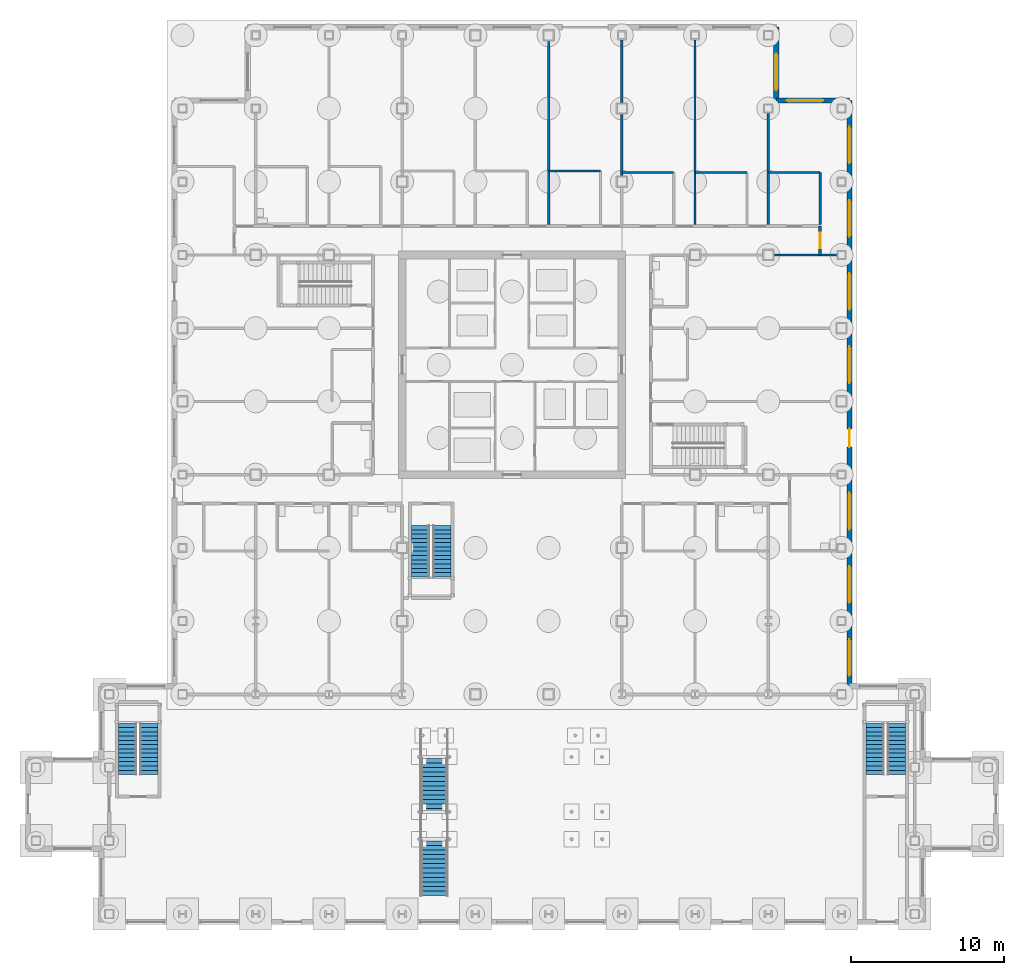
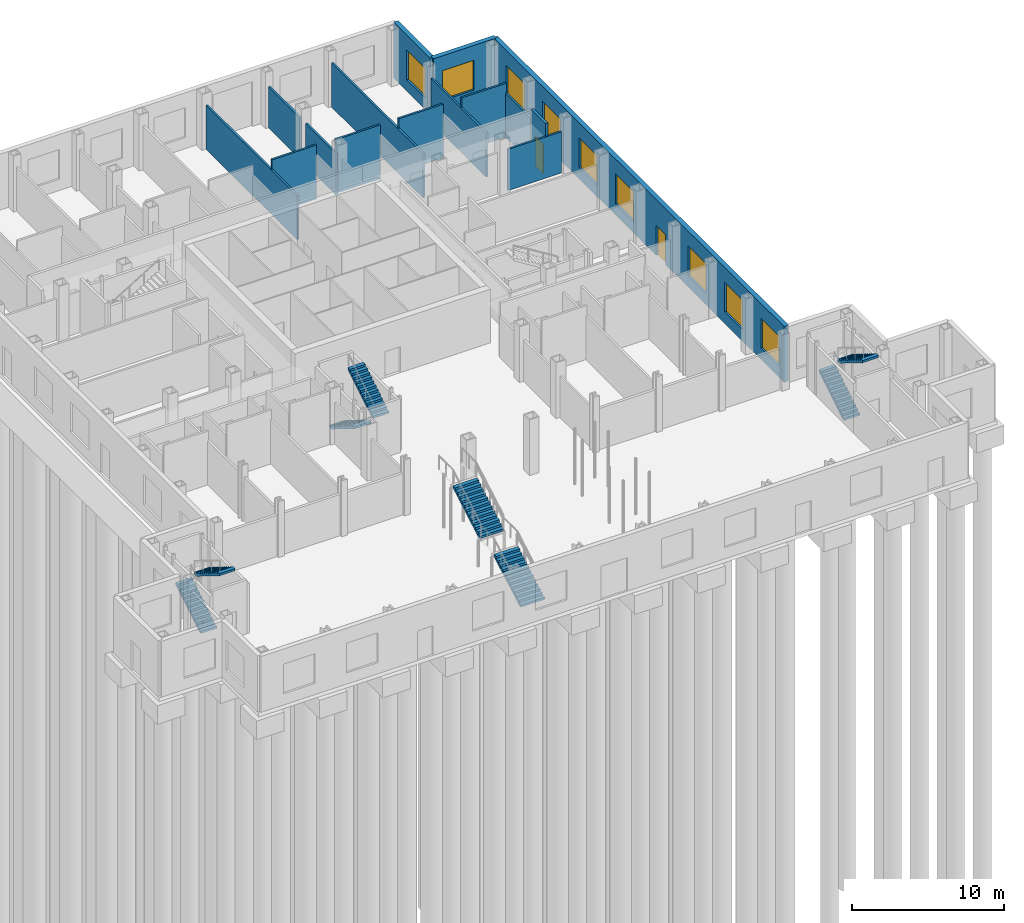
# One storey, part 18 of 22: 15 walls, 9 windows, 8 stair flights, 2 doors, 11 openings, 4 elements without a shape of their own.
"""IFC4 building model written with IfcOpenShell, lengths in metres."""

from ifc_helpers import new_model, si_unit, direction, frame, frame_2d, origin, place, context, subcontext, project, spatial, polyline, rectangle, outline, extrude, material, layer, layer_set, type_object, element, fill, aggregate, save


model = new_model("IFC4")

# Units and contexts
model_context = context("Model", 3, precision=1e-05, world=origin(), true_north=direction((0.0, 1.0)))
body_context = subcontext(model_context, "Body", "Model", "MODEL_VIEW")
ifc_project = project(units=[si_unit("LENGTHUNIT", "METRE"), si_unit("AREAUNIT", "SQUARE_METRE"), si_unit("VOLUMEUNIT", "CUBIC_METRE"), si_unit("PLANEANGLEUNIT", "RADIAN"), si_unit("MASSUNIT", "GRAM", prefix="KILO")], contexts=[model_context])

# Site, building, storey
site_placement = place(None, origin())
site = spatial("IfcSite", under=ifc_project, at=site_placement, CompositionType="ELEMENT")
building_placement = place(site_placement, origin())
building = spatial("IfcBuilding", under=site, at=building_placement, Name="Kvirike Care Tower", CompositionType="ELEMENT")
storey_placement = place(building_placement, origin())
storey = spatial("IfcBuildingStorey", under=building, at=storey_placement, Name="L00", CompositionType="ELEMENT", Elevation=0.0)

# Walls
ifc_material_1 = material(Name="Plasterboard partition", Category="gypsum")
ifc_layer_1 = layer(ifc_material_1, 0.14990234375)
ifc_layer_set_1 = layer_set([ifc_layer_1], Name="CLINIC PARTITION 150")
wall_type_1 = type_object("IfcWallType", Name="CLINIC PARTITION 150", PredefinedType="PARTITIONING", material=ifc_layer_set_1)
wall_1_placement = place(storey_placement, frame((27.39990234375, 48.699951171875, 0.0), z_axis=(0.0, 0.0, 1.0), x_axis=(-1.0, 0.0, 0.0)))
element("IfcWall", 1, at=wall_1_placement, inside=storey, type_object=wall_type_1, Name="Clinic Partition 150 L00", PredefinedType="PARTITIONING", context=body_context, shape_type="SweptSolid", body=[
    extrude(rectangle(XDim=3.39990234375, YDim=0.14990234375, at=frame_2d((1.699951171875, 0.0))), origin(), (0.0, 0.0, 1.0), 4.330078125),
])
wall_2_placement = place(storey_placement, frame((24.0, 57.205078125, 0.0), z_axis=(0.0, 0.0, 1.0), x_axis=(0.0, -1.0, 0.0)))
element("IfcWall", 2, at=wall_2_placement, inside=storey, type_object=wall_type_1, Name="Clinic Partition 150 L00", PredefinedType="PARTITIONING", context=body_context, shape_type="SweptSolid", body=[
    extrude(rectangle(XDim=12.005126953125, YDim=0.14990234375, at=frame_2d((6.00244140625, 0.0))), origin(), (0.0, 0.0, 1.0), 3.550048828125),
])
wall_3_placement = place(storey_placement, frame((41.800048828125, 48.60009765625, 0.0), z_axis=(0.0, 0.0, 1.0), x_axis=(0.0, -1.0, 0.0)))
element("IfcWall", 3, at=wall_3_placement, inside=storey, type_object=wall_type_1, Name="Clinic Partition 150 L00", PredefinedType="PARTITIONING", context=body_context, shape_type="SweptSolid", body=[
    extrude(rectangle(XDim=3.400146484375, YDim=0.14990234375, at=frame_2d((1.7001953125, 0.0))), origin(), (0.0, 0.0, 1.0), 3.550048828125),
])
wall_4_placement = place(storey_placement, frame((41.800048828125, 48.60009765625, 0.0), z_axis=(0.0, 0.0, 1.0), x_axis=(-1.0, 0.0, 0.0)))
element("IfcWall", 4, at=wall_4_placement, inside=storey, type_object=wall_type_1, Name="Clinic Partition 150 L00", PredefinedType="PARTITIONING", context=body_context, shape_type="SweptSolid", body=[
    extrude(rectangle(XDim=3.400146484375, YDim=0.14990234375, at=frame_2d((1.7001953125, 0.0))), origin(), (0.0, 0.0, 1.0), 4.330078125),
])
for number, where, z_axis, x_axis, name in (
    (5, (37.0, 48.60009765625, 0.0), (0.0, 0.0, 1.0), (-1.0, 0.0, 0.0), "Clinic Partition 150 L00"),
    (6, (32.199951171875, 48.60009765625, 0.0), (0.0, 0.0, 1.0), (-1.0, 0.0, 0.0), "Clinic Partition 150 L00"),
):
    element("IfcWall", number, at=place(storey_placement, frame(where, z_axis=z_axis, x_axis=x_axis)), inside=storey, type_object=wall_type_1, Name=name, PredefinedType="PARTITIONING", context=body_context, shape_type="SweptSolid", body=[
        extrude(rectangle(XDim=3.39990234375, YDim=0.14990234375, at=frame_2d((1.699951171875, 0.0))), origin(), (0.0, 0.0, 1.0), 4.330078125),
    ])
wall_5_placement = place(storey_placement, frame((38.39990234375, 52.47998046875, 0.0), z_axis=(0.0, 0.0, 1.0), x_axis=(0.0, -1.0, 0.0)))
element("IfcWall", 7, at=wall_5_placement, inside=storey, type_object=wall_type_1, Name="Clinic Partition 150 L00", PredefinedType="PARTITIONING", context=body_context, shape_type="SweptSolid", body=[
    extrude(rectangle(XDim=7.280029296875, YDim=0.14990234375, at=frame_2d((3.64013671875, 0.0))), origin(), (0.0, 0.0, 1.0), 3.550048828125),
])
wall_6_placement = place(storey_placement, frame((33.60009765625, 57.280029296875, 0.0), z_axis=(0.0, 0.0, 1.0), x_axis=(0.0, -1.0, 0.0)))
element("IfcWall", 8, at=wall_6_placement, inside=storey, type_object=wall_type_1, Name="Clinic Partition 150 L00", PredefinedType="PARTITIONING", context=body_context, shape_type="SweptSolid", body=[
    extrude(rectangle(XDim=12.080078125, YDim=0.14990234375, at=frame_2d((6.0400390625, 0.0))), origin(), (0.0, 0.0, 1.0), 3.550048828125),
])
wall_7_placement = place(storey_placement, frame((28.800048828125, 48.39501953125, 0.0), z_axis=(0.0, 0.0, 1.0), x_axis=(0.0, 1.0, 0.0)))
element("IfcWall", 9, at=wall_7_placement, inside=storey, type_object=wall_type_1, Name="Clinic Partition 150 L00", PredefinedType="PARTITIONING", context=body_context, shape_type="SweptSolid", body=[
    extrude(rectangle(XDim=4.010009765625, YDim=0.14990234375, at=frame_2d((2.0048828125, 0.0))), origin(), (0.0, 0.0, 1.0), 3.320068359375),
])
for number, where, z_axis, x_axis, name in (
    (10, (28.800048828125, 53.195068359375, 0.0), (0.0, 0.0, 1.0), (0.0, 1.0, 0.0), "Clinic Partition 150 L00"),
    (11, (42.8798828125, 43.199951171875, 0.0), (0.0, 0.0, 1.0), (-1.0, 0.0, 0.0), "Clinic Partition 150 L00"),
):
    element("IfcWall", number, at=place(storey_placement, frame(where, z_axis=z_axis, x_axis=x_axis)), inside=storey, type_object=wall_type_1, Name=name, PredefinedType="PARTITIONING", context=body_context, shape_type="SweptSolid", body=[
        extrude(rectangle(XDim=4.0849609375, YDim=0.14990234375, at=frame_2d((2.04248046875, 0.0))), origin(), (0.0, 0.0, 1.0), 3.320068359375),
    ])

# Wall, opening, door
ifc_material_2 = material(Name="Plasterboard corridor wall", Category="gypsum")
ifc_layer_2 = layer(ifc_material_2, 0.199951171875)
ifc_layer_set_2 = layer_set([ifc_layer_2], Name="CORRIDOR WALL 200")
wall_type_2 = type_object("IfcWallType", Name="CORRIDOR WALL 200", PredefinedType="PARTITIONING", material=ifc_layer_set_2)
wall_8_placement = place(storey_placement, frame((41.800048828125, 45.10009765625, 0.0), z_axis=(0.0, 0.0, 1.0), x_axis=(0.0, -1.0, 0.0)))
wall_8 = element("IfcWall", 12, at=wall_8_placement, inside=storey, type_object=wall_type_2, Name="Corridor Wall 200 L00", PredefinedType="PARTITIONING", context=body_context, shape_type="SweptSolid", body=[
    extrude(rectangle(XDim=1.900146484375, YDim=0.199951171875, at=frame_2d((0.9501953125, 0.0))), origin(), (0.0, 0.0, 1.0), 4.330078125),
])
opening_1_placement = place(wall_8_placement, frame((0.449951171875, 0.0, 0.0)))
opening_1 = element("IfcOpeningElement", 13, at=opening_1_placement, cuts=wall_8, Name="Opening 00-059", PredefinedType="OPENING", context=body_context, shape_type="SweptSolid", body=[
    extrude(rectangle(XDim=1.0, YDim=2.39990234375, at=frame_2d((0.5, 1.199951171875))), frame((0.0, 0.110595703125, 0.0), z_axis=(0.0, -1.0, 0.0), x_axis=(1.0, 0.0, 0.0)), (0.0, 0.0, 1.0), 0.220947265625),
])
ifc_material_3 = material(Name="Timber door set", Category="wood")
door_type_1 = type_object("IfcDoorType", Name="CONSULTING ROOM DOOR 1000", OperationType="SINGLE_SWING_LEFT", PredefinedType="DOOR", material=ifc_material_3)
door_1_placement = place(opening_1_placement, origin())
door_1 = element("IfcDoor", 14, at=door_1_placement, inside=storey, type_object=door_type_1, Name="Water treatment plant room door", OperationType="SINGLE_SWING_LEFT", OverallHeight=2.39990234375, OverallWidth=1.0, PredefinedType="DOOR", context=body_context, shape_type="SweptSolid", body=[
    extrude(rectangle(XDim=1.0, YDim=2.39990234375, at=frame_2d((0.5, 1.199951171875))), frame((0.0, 0.02685546875, 0.0), z_axis=(0.0, -1.0, 0.0), x_axis=(1.0, 0.0, 0.0)), (0.0, 0.0, 1.0), 0.053955078125),
])
fill(opening_1, door_1)

# Wall, openings, door, windows
ifc_material_4 = material(Name="Bronze-clad concrete wall", Category="concrete")
ifc_layer_3 = layer(ifc_material_4, 0.35009765625)
ifc_layer_set_3 = layer_set([ifc_layer_3], Name="PODIUM BASE WALL 350")
wall_type_3 = type_object("IfcWallType", Name="PODIUM BASE WALL 350", PredefinedType="SOLIDWALL", material=ifc_layer_set_3)
wall_9_placement = place(storey_placement, frame((43.72509765625, 14.925048828125, 0.0), z_axis=(0.0, 0.0, 1.0), x_axis=(0.0, 1.0, 0.0)))
wall_9 = element("IfcWall", 15, at=wall_9_placement, inside=storey, type_object=wall_type_3, Name="Podium base wall face 8", PredefinedType="SOLIDWALL", context=body_context, shape_type="SweptSolid", body=[
    extrude(rectangle(XDim=38.39990234375, YDim=0.35009765625, at=frame_2d((19.199951171875, 0.0))), origin(), (0.0, 0.0, 1.0), 4.5),
])
opening_2_placement = place(wall_9_placement, frame((15.675048828125, 0.0, 0.0)))
opening_2 = element("IfcOpeningElement", 16, at=opening_2_placement, cuts=wall_9, Name="Opening 00-905", PredefinedType="OPENING", context=body_context, shape_type="SweptSolid", body=[
    extrude(rectangle(XDim=1.199951171875, YDim=2.39990234375, at=frame_2d((0.60009765625, 1.199951171875))), frame((0.0, 0.185546875, 0.0), z_axis=(0.0, -1.0, 0.0), x_axis=(1.0, 0.0, 0.0)), (0.0, 0.0, 1.0), 0.37109375),
])
opening_3_placement = place(wall_9_placement, frame((0.675048828125, 0.0, 0.89990234375)))
opening_3 = element("IfcOpeningElement", 17, at=opening_3_placement, cuts=wall_9, Name="Opening W02", PredefinedType="OPENING", context=body_context, shape_type="SweptSolid", body=[
    extrude(rectangle(XDim=2.39990234375, YDim=2.39990234375, at=frame_2d((1.199951171875, 1.199951171875))), frame((0.0, 0.185546875, 0.0), z_axis=(0.0, -1.0, 0.0), x_axis=(1.0, 0.0, 0.0)), (0.0, 0.0, 1.0), 0.37109375),
])
opening_4_placement = place(wall_9_placement, frame((5.47509765625, 0.0, 0.89990234375)))
opening_4 = element("IfcOpeningElement", 18, at=opening_4_placement, cuts=wall_9, Name="Opening W02", PredefinedType="OPENING", context=body_context, shape_type="SweptSolid", body=[
    extrude(rectangle(XDim=2.39990234375, YDim=2.39990234375, at=frame_2d((1.199951171875, 1.199951171875))), frame((0.0, 0.185546875, 0.0), z_axis=(0.0, -1.0, 0.0), x_axis=(1.0, 0.0, 0.0)), (0.0, 0.0, 1.0), 0.37109375),
])
opening_5_placement = place(wall_9_placement, frame((10.27490234375, 0.0, 0.89990234375)))
opening_5 = element("IfcOpeningElement", 19, at=opening_5_placement, cuts=wall_9, Name="Opening W02", PredefinedType="OPENING", context=body_context, shape_type="SweptSolid", body=[
    extrude(rectangle(XDim=2.39990234375, YDim=2.39990234375, at=frame_2d((1.199951171875, 1.199951171875))), frame((0.0, 0.185546875, 0.0), z_axis=(0.0, -1.0, 0.0), x_axis=(1.0, 0.0, 0.0)), (0.0, 0.0, 1.0), 0.37109375),
])
opening_6_placement = place(wall_9_placement, frame((19.875, 0.0, 0.89990234375)))
opening_6 = element("IfcOpeningElement", 20, at=opening_6_placement, cuts=wall_9, Name="Opening W02", PredefinedType="OPENING", context=body_context, shape_type="SweptSolid", body=[
    extrude(rectangle(XDim=2.39990234375, YDim=2.39990234375, at=frame_2d((1.199951171875, 1.199951171875))), frame((0.0, 0.185546875, 0.0), z_axis=(0.0, -1.0, 0.0), x_axis=(1.0, 0.0, 0.0)), (0.0, 0.0, 1.0), 0.37109375),
])
opening_7_placement = place(wall_9_placement, frame((24.675048828125, 0.0, 0.89990234375)))
opening_7 = element("IfcOpeningElement", 21, at=opening_7_placement, cuts=wall_9, Name="Opening W02", PredefinedType="OPENING", context=body_context, shape_type="SweptSolid", body=[
    extrude(rectangle(XDim=2.39990234375, YDim=2.39990234375, at=frame_2d((1.199951171875, 1.199951171875))), frame((0.0, 0.185546875, 0.0), z_axis=(0.0, -1.0, 0.0), x_axis=(1.0, 0.0, 0.0)), (0.0, 0.0, 1.0), 0.37109375),
])
opening_8_placement = place(wall_9_placement, frame((29.47509765625, 0.0, 0.89990234375)))
opening_8 = element("IfcOpeningElement", 22, at=opening_8_placement, cuts=wall_9, Name="Opening W02", PredefinedType="OPENING", context=body_context, shape_type="SweptSolid", body=[
    extrude(rectangle(XDim=2.39990234375, YDim=2.39990234375, at=frame_2d((1.199951171875, 1.199951171875))), frame((0.0, 0.185546875, 0.0), z_axis=(0.0, -1.0, 0.0), x_axis=(1.0, 0.0, 0.0)), (0.0, 0.0, 1.0), 0.37109375),
])
opening_9_placement = place(wall_9_placement, frame((34.27490234375, 0.0, 0.89990234375)))
opening_9 = element("IfcOpeningElement", 23, at=opening_9_placement, cuts=wall_9, Name="Opening W02", PredefinedType="OPENING", context=body_context, shape_type="SweptSolid", body=[
    extrude(rectangle(XDim=2.39990234375, YDim=2.39990234375, at=frame_2d((1.199951171875, 1.199951171875))), frame((0.0, 0.185546875, 0.0), z_axis=(0.0, -1.0, 0.0), x_axis=(1.0, 0.0, 0.0)), (0.0, 0.0, 1.0), 0.37109375),
])
ifc_material_5 = material(Name="Timber door set", Category="wood")
door_type_2 = type_object("IfcDoorType", Name="EXIT DOOR 1200", OperationType="SINGLE_SWING_LEFT", PredefinedType="DOOR", material=ifc_material_5)
door_2_placement = place(opening_2_placement, frame((1.199951171875, 0.0, 0.0), z_axis=(0.0, 0.0, 1.0), x_axis=(-1.0, 0.0, 0.0)))
door_2 = element("IfcDoor", 24, at=door_2_placement, inside=storey, type_object=door_type_2, Name="Stair 2 exit", OperationType="SINGLE_SWING_LEFT", OverallHeight=2.39990234375, OverallWidth=1.199951171875, PredefinedType="DOOR", context=body_context, shape_type="SweptSolid", body=[
    extrude(rectangle(XDim=1.199951171875, YDim=2.39990234375, at=frame_2d((0.60009765625, 1.199951171875))), frame((0.0, 0.02685546875, 0.0), z_axis=(0.0, -1.0, 0.0), x_axis=(1.0, 0.0, 0.0)), (0.0, 0.0, 1.0), 0.053955078125),
])
fill(opening_2, door_2)
ifc_material_6 = material(Name="Bronze anodised aluminium window", Category="aluminium")
window_type = type_object("IfcWindowType", Name="PODIUM WINDOW 2400", PartitioningType="SINGLE_PANEL", PredefinedType="WINDOW", material=ifc_material_6)
window_1_placement = place(opening_3_placement, origin())
window_1 = element("IfcWindow", 25, at=window_1_placement, inside=storey, type_object=window_type, Name="Podium Window 2400 L00", OverallHeight=2.39990234375, OverallWidth=2.39990234375, PartitioningType="SINGLE_PANEL", PredefinedType="WINDOW", context=body_context, shape_type="SweptSolid", body=[
    extrude(rectangle(XDim=2.39990234375, YDim=2.39990234375, at=frame_2d((1.199951171875, 1.199951171875))), frame((0.0, 0.030029296875, 0.0), z_axis=(0.0, -1.0, 0.0), x_axis=(1.0, 0.0, 0.0)), (0.0, 0.0, 1.0), 0.06005859375),
])
fill(opening_3, window_1)
window_2_placement = place(opening_4_placement, origin())
window_2 = element("IfcWindow", 26, at=window_2_placement, inside=storey, type_object=window_type, Name="Podium Window 2400 L00", OverallHeight=2.39990234375, OverallWidth=2.39990234375, PartitioningType="SINGLE_PANEL", PredefinedType="WINDOW", context=body_context, shape_type="SweptSolid", body=[
    extrude(rectangle(XDim=2.39990234375, YDim=2.39990234375, at=frame_2d((1.199951171875, 1.199951171875))), frame((0.0, 0.030029296875, 0.0), z_axis=(0.0, -1.0, 0.0), x_axis=(1.0, 0.0, 0.0)), (0.0, 0.0, 1.0), 0.06005859375),
])
fill(opening_4, window_2)
window_3_placement = place(opening_5_placement, origin())
window_3 = element("IfcWindow", 27, at=window_3_placement, inside=storey, type_object=window_type, Name="Podium Window 2400 L00", OverallHeight=2.39990234375, OverallWidth=2.39990234375, PartitioningType="SINGLE_PANEL", PredefinedType="WINDOW", context=body_context, shape_type="SweptSolid", body=[
    extrude(rectangle(XDim=2.39990234375, YDim=2.39990234375, at=frame_2d((1.199951171875, 1.199951171875))), frame((0.0, 0.030029296875, 0.0), z_axis=(0.0, -1.0, 0.0), x_axis=(1.0, 0.0, 0.0)), (0.0, 0.0, 1.0), 0.06005859375),
])
fill(opening_5, window_3)
window_4_placement = place(opening_6_placement, origin())
window_4 = element("IfcWindow", 28, at=window_4_placement, inside=storey, type_object=window_type, Name="Podium Window 2400 L00", OverallHeight=2.39990234375, OverallWidth=2.39990234375, PartitioningType="SINGLE_PANEL", PredefinedType="WINDOW", context=body_context, shape_type="SweptSolid", body=[
    extrude(rectangle(XDim=2.39990234375, YDim=2.39990234375, at=frame_2d((1.199951171875, 1.199951171875))), frame((0.0, 0.030029296875, 0.0), z_axis=(0.0, -1.0, 0.0), x_axis=(1.0, 0.0, 0.0)), (0.0, 0.0, 1.0), 0.06005859375),
])
fill(opening_6, window_4)
window_5_placement = place(opening_7_placement, origin())
window_5 = element("IfcWindow", 29, at=window_5_placement, inside=storey, type_object=window_type, Name="Podium Window 2400 L00", OverallHeight=2.39990234375, OverallWidth=2.39990234375, PartitioningType="SINGLE_PANEL", PredefinedType="WINDOW", context=body_context, shape_type="SweptSolid", body=[
    extrude(rectangle(XDim=2.39990234375, YDim=2.39990234375, at=frame_2d((1.199951171875, 1.199951171875))), frame((0.0, 0.030029296875, 0.0), z_axis=(0.0, -1.0, 0.0), x_axis=(1.0, 0.0, 0.0)), (0.0, 0.0, 1.0), 0.06005859375),
])
fill(opening_7, window_5)
window_6_placement = place(opening_8_placement, origin())
window_6 = element("IfcWindow", 30, at=window_6_placement, inside=storey, type_object=window_type, Name="Podium Window 2400 L00", OverallHeight=2.39990234375, OverallWidth=2.39990234375, PartitioningType="SINGLE_PANEL", PredefinedType="WINDOW", context=body_context, shape_type="SweptSolid", body=[
    extrude(rectangle(XDim=2.39990234375, YDim=2.39990234375, at=frame_2d((1.199951171875, 1.199951171875))), frame((0.0, 0.030029296875, 0.0), z_axis=(0.0, -1.0, 0.0), x_axis=(1.0, 0.0, 0.0)), (0.0, 0.0, 1.0), 0.06005859375),
])
fill(opening_8, window_6)
window_7_placement = place(opening_9_placement, origin())
window_7 = element("IfcWindow", 31, at=window_7_placement, inside=storey, type_object=window_type, Name="Podium Window 2400 L00", OverallHeight=2.39990234375, OverallWidth=2.39990234375, PartitioningType="SINGLE_PANEL", PredefinedType="WINDOW", context=body_context, shape_type="SweptSolid", body=[
    extrude(rectangle(XDim=2.39990234375, YDim=2.39990234375, at=frame_2d((1.199951171875, 1.199951171875))), frame((0.0, 0.030029296875, 0.0), z_axis=(0.0, -1.0, 0.0), x_axis=(1.0, 0.0, 0.0)), (0.0, 0.0, 1.0), 0.06005859375),
])
fill(opening_9, window_7)

# Wall, opening, window
wall_10_placement = place(storey_placement, frame((43.72509765625, 53.324951171875, 0.0), z_axis=(0.0, 0.0, 1.0), x_axis=(-1.0, 0.0, 0.0)))
wall_10 = element("IfcWall", 32, at=wall_10_placement, inside=storey, type_object=wall_type_3, Name="Podium base wall face 9", PredefinedType="SOLIDWALL", context=body_context, shape_type="SweptSolid", body=[
    extrude(rectangle(XDim=4.800048828125, YDim=0.35009765625, at=frame_2d((2.39990234375, 0.0))), origin(), (0.0, 0.0, 1.0), 4.5),
])
opening_10_placement = place(wall_10_placement, frame((1.72509765625, 0.0, 0.89990234375)))
opening_10 = element("IfcOpeningElement", 33, at=opening_10_placement, cuts=wall_10, Name="Opening W02", PredefinedType="OPENING", context=body_context, shape_type="SweptSolid", body=[
    extrude(rectangle(XDim=2.39990234375, YDim=2.39990234375, at=frame_2d((1.199951171875, 1.199951171875))), frame((0.0, 0.185546875, 0.0), z_axis=(0.0, -1.0, 0.0), x_axis=(1.0, 0.0, 0.0)), (0.0, 0.0, 1.0), 0.37109375),
])
window_8_placement = place(opening_10_placement, origin())
window_8 = element("IfcWindow", 34, at=window_8_placement, inside=storey, type_object=window_type, Name="Podium Window 2400 L00", OverallHeight=2.39990234375, OverallWidth=2.39990234375, PartitioningType="SINGLE_PANEL", PredefinedType="WINDOW", context=body_context, shape_type="SweptSolid", body=[
    extrude(rectangle(XDim=2.39990234375, YDim=2.39990234375, at=frame_2d((1.199951171875, 1.199951171875))), frame((0.0, 0.030029296875, 0.0), z_axis=(0.0, -1.0, 0.0), x_axis=(1.0, 0.0, 0.0)), (0.0, 0.0, 1.0), 0.06005859375),
])
fill(opening_10, window_8)

wall_11_placement = place(storey_placement, frame((38.925048828125, 53.324951171875, 0.0), z_axis=(0.0, 0.0, 1.0), x_axis=(0.0, 1.0, 0.0)))
wall_11 = element("IfcWall", 35, at=wall_11_placement, inside=storey, type_object=wall_type_3, Name="Podium base wall face 10", PredefinedType="SOLIDWALL", context=body_context, shape_type="SweptSolid", body=[
    extrude(rectangle(XDim=4.800048828125, YDim=0.35009765625, at=frame_2d((2.39990234375, 0.0))), origin(), (0.0, 0.0, 1.0), 4.5),
])
opening_11_placement = place(wall_11_placement, frame((0.675048828125, 0.0, 0.89990234375)))
opening_11 = element("IfcOpeningElement", 36, at=opening_11_placement, cuts=wall_11, Name="Opening W02", PredefinedType="OPENING", context=body_context, shape_type="SweptSolid", body=[
    extrude(rectangle(XDim=2.39990234375, YDim=2.39990234375, at=frame_2d((1.199951171875, 1.199951171875))), frame((0.0, 0.185546875, 0.0), z_axis=(0.0, -1.0, 0.0), x_axis=(1.0, 0.0, 0.0)), (0.0, 0.0, 1.0), 0.37109375),
])
window_9_placement = place(opening_11_placement, origin())
window_9 = element("IfcWindow", 37, at=window_9_placement, inside=storey, type_object=window_type, Name="Podium Window 2400 L00", OverallHeight=2.39990234375, OverallWidth=2.39990234375, PartitioningType="SINGLE_PANEL", PredefinedType="WINDOW", context=body_context, shape_type="SweptSolid", body=[
    extrude(rectangle(XDim=2.39990234375, YDim=2.39990234375, at=frame_2d((1.199951171875, 1.199951171875))), frame((0.0, 0.030029296875, 0.0), z_axis=(0.0, -1.0, 0.0), x_axis=(1.0, 0.0, 0.0)), (0.0, 0.0, 1.0), 0.06005859375),
])
fill(opening_11, window_9)

# Stair, stair flights
ifc_material_7 = material(Name="Steel S355 stringer stair with steel-pan treads", Category="steel")
stair_type_1 = type_object("IfcStairType", Name="ATRIUM FEATURE STAIR 26 RISERS", PredefinedType="TWO_STRAIGHT_RUN_STAIR", material=ifc_material_7)
stair_1_placement = place(storey_placement, origin())
stair_1 = element("IfcStair", 38, at=stair_1_placement, inside=storey, type_object=stair_type_1, Name="Atrium feature stair FA L00 to L01", PredefinedType="TWO_STRAIGHT_RUN_STAIR")
ifc_material_8 = material(Name="Steel S355 stringer flight with steel-pan treads", Category="steel")
stair_flight_type_1 = type_object("IfcStairFlightType", Name="FEATURE FLIGHT 13 RISERS", PredefinedType="STRAIGHT", material=ifc_material_8)
stair_flight_1_placement = place(storey_placement, frame((16.5, 1.199951171875, 0.0), z_axis=(0.0, 0.0, 1.0), x_axis=(0.0, 1.0, 0.0)))
stair_flight_1 = element("IfcStairFlight", 39, at=stair_flight_1_placement, type_object=stair_flight_type_1, Name="FA flight 1", NumberOfRisers=13, NumberOfTreads=12, PredefinedType="STRAIGHT", RiserHeight=0.173076923, TreadLength=0.3, context=body_context, shape_type="SweptSolid", body=[
    extrude(outline(polyline([(0.0, 0.0), (0.0, 0.173095703125), (0.300048828125, 0.173095703125), (0.300048828125, 0.34619140625), (0.60009765625, 0.34619140625), (0.60009765625, 0.519287109375), (0.89990234375, 0.519287109375), (0.89990234375, 0.6923828125), (1.199951171875, 0.6923828125), (1.199951171875, 0.865478515625), (1.5, 0.865478515625), (1.5, 1.03857421875), (1.800048828125, 1.03857421875), (1.800048828125, 1.21142578125), (2.10009765625, 1.21142578125), (2.10009765625, 1.384521484375), (2.39990234375, 1.384521484375), (2.39990234375, 1.5576171875), (2.699951171875, 1.5576171875), (2.699951171875, 1.730712890625), (3.0, 1.730712890625), (3.0, 1.90380859375), (3.300048828125, 1.90380859375), (3.300048828125, 2.076904296875), (3.60009765625, 2.076904296875), (3.60009765625, 2.25), (3.60009765625, 1.90380859375), (0.300048828125, 0.0), (0.0, 0.0)])), frame((0.0, 0.89990234375, 0.0), z_axis=(0.0, -1.0, 0.0), x_axis=(1.0, 0.0, 0.0)), (0.0, 0.0, 1.0), 1.800048828125),
])
stair_flight_2_placement = place(storey_placement, frame((16.5, 6.60009765625, 2.25), z_axis=(0.0, 0.0, 1.0), x_axis=(0.0, 1.0, 0.0)))
stair_flight_2 = element("IfcStairFlight", 40, at=stair_flight_2_placement, type_object=stair_flight_type_1, Name="FA flight 2", NumberOfRisers=13, NumberOfTreads=12, PredefinedType="STRAIGHT", RiserHeight=0.173076923, TreadLength=0.3, context=body_context, shape_type="SweptSolid", body=[
    extrude(outline(polyline([(0.0, 0.0), (0.0, 0.173095703125), (0.300048828125, 0.173095703125), (0.300048828125, 0.34619140625), (0.60009765625, 0.34619140625), (0.60009765625, 0.519287109375), (0.89990234375, 0.519287109375), (0.89990234375, 0.6923828125), (1.199951171875, 0.6923828125), (1.199951171875, 0.865478515625), (1.5, 0.865478515625), (1.5, 1.03857421875), (1.800048828125, 1.03857421875), (1.800048828125, 1.21142578125), (2.10009765625, 1.21142578125), (2.10009765625, 1.384521484375), (2.39990234375, 1.384521484375), (2.39990234375, 1.5576171875), (2.699951171875, 1.5576171875), (2.699951171875, 1.730712890625), (3.0, 1.730712890625), (3.0, 1.90380859375), (3.300048828125, 1.90380859375), (3.300048828125, 2.076904296875), (3.60009765625, 2.076904296875), (3.60009765625, 2.25), (3.60009765625, 1.90380859375), (0.300048828125, 0.0), (0.0, 0.0)])), frame((0.0, 0.89990234375, 0.0), z_axis=(0.0, -1.0, 0.0), x_axis=(1.0, 0.0, 0.0)), (0.0, 0.0, 1.0), 1.800048828125),
])
aggregate(stair_1, [stair_flight_1, stair_flight_2])

ifc_material_9 = material(Name="Concrete C35/45", Category="concrete")
stair_type_2 = type_object("IfcStairType", Name="STAIR 26 RISERS", PredefinedType="HALF_TURN_STAIR", material=ifc_material_9)
stair_2_placement = place(storey_placement, origin())
stair_2 = element("IfcStair", 41, at=stair_2_placement, inside=storey, type_object=stair_type_2, Name="Stair 3 L00", PredefinedType="HALF_TURN_STAIR")
ifc_material_10 = material(Name="Concrete C35/45", Category="concrete")
stair_flight_type_2 = type_object("IfcStairFlightType", Name="FLIGHT 13 RISERS", PredefinedType="STRAIGHT", material=ifc_material_10)
stair_flight_3_placement = place(storey_placement, frame((-3.60009765625, 9.139892578125, 0.0), z_axis=(0.0, 0.0, 1.0), x_axis=(0.0, 1.0, 0.0)))
stair_flight_3 = element("IfcStairFlight", 42, at=stair_flight_3_placement, type_object=stair_flight_type_2, Name="Stair S3 flight 1 L00-L01", NumberOfRisers=13, NumberOfTreads=12, PredefinedType="STRAIGHT", RiserHeight=0.173076923, TreadLength=0.28, context=body_context, shape_type="SweptSolid", body=[
    extrude(outline(polyline([(0.0, 0.0), (0.0, 0.173095703125), (0.280029296875, 0.173095703125), (0.280029296875, 0.34619140625), (0.56005859375, 0.34619140625), (0.56005859375, 0.519287109375), (0.840087890625, 0.519287109375), (0.840087890625, 0.6923828125), (1.1201171875, 0.6923828125), (1.1201171875, 0.865478515625), (1.39990234375, 0.865478515625), (1.39990234375, 1.03857421875), (1.679931640625, 1.03857421875), (1.679931640625, 1.21142578125), (1.9599609375, 1.21142578125), (1.9599609375, 1.384521484375), (2.239990234375, 1.384521484375), (2.239990234375, 1.5576171875), (2.52001953125, 1.5576171875), (2.52001953125, 1.730712890625), (2.800048828125, 1.730712890625), (2.800048828125, 1.90380859375), (3.080078125, 1.90380859375), (3.080078125, 2.076904296875), (3.360107421875, 2.076904296875), (3.360107421875, 2.25), (3.360107421875, 1.900634765625), (0.28515625, 0.0), (0.0, 0.0)])), frame((0.0, 0.60009765625, 0.0), z_axis=(0.0, -1.0, 0.0), x_axis=(1.0, 0.0, 0.0)), (0.0, 0.0, 1.0), 1.199951171875),
])
stair_flight_4_placement = place(storey_placement, frame((-2.199951171875, 12.5, 2.25), z_axis=(0.0, 0.0, 1.0), x_axis=(0.0, -1.0, 0.0)))
stair_flight_4 = element("IfcStairFlight", 43, at=stair_flight_4_placement, type_object=stair_flight_type_2, Name="Stair S3 flight 2 L00-L01", NumberOfRisers=13, NumberOfTreads=12, PredefinedType="STRAIGHT", RiserHeight=0.173076923, TreadLength=0.28, context=body_context, shape_type="SweptSolid", body=[
    extrude(outline(polyline([(0.0, 0.0), (0.0, 0.173095703125), (0.280029296875, 0.173095703125), (0.280029296875, 0.34619140625), (0.56005859375, 0.34619140625), (0.56005859375, 0.519287109375), (0.840087890625, 0.519287109375), (0.840087890625, 0.6923828125), (1.1201171875, 0.6923828125), (1.1201171875, 0.865478515625), (1.39990234375, 0.865478515625), (1.39990234375, 1.03857421875), (1.679931640625, 1.03857421875), (1.679931640625, 1.21142578125), (1.9599609375, 1.21142578125), (1.9599609375, 1.384521484375), (2.239990234375, 1.384521484375), (2.239990234375, 1.5576171875), (2.52001953125, 1.5576171875), (2.52001953125, 1.730712890625), (2.800048828125, 1.730712890625), (2.800048828125, 1.90380859375), (3.080078125, 1.90380859375), (3.080078125, 2.076904296875), (3.360107421875, 2.076904296875), (3.360107421875, 2.25), (3.360107421875, 1.900634765625), (0.28515625, 0.0), (0.0, 0.0)])), frame((0.0, 0.60009765625, 0.0), z_axis=(0.0, -1.0, 0.0), x_axis=(1.0, 0.0, 0.0)), (0.0, 0.0, 1.0), 1.199951171875),
])
aggregate(stair_2, [stair_flight_3, stair_flight_4])

stair_3_placement = place(storey_placement, origin())
stair_3 = element("IfcStair", 44, at=stair_3_placement, inside=storey, type_object=stair_type_2, Name="Stair 4 L00", PredefinedType="HALF_TURN_STAIR")
stair_flight_5_placement = place(storey_placement, frame((45.39990234375, 9.139892578125, 0.0), z_axis=(0.0, 0.0, 1.0), x_axis=(0.0, 1.0, 0.0)))
stair_flight_5 = element("IfcStairFlight", 45, at=stair_flight_5_placement, type_object=stair_flight_type_2, Name="Stair S4 flight 1 L00-L01", NumberOfRisers=13, NumberOfTreads=12, PredefinedType="STRAIGHT", RiserHeight=0.173076923, TreadLength=0.28, context=body_context, shape_type="SweptSolid", body=[
    extrude(outline(polyline([(0.0, 0.0), (0.0, 0.173095703125), (0.280029296875, 0.173095703125), (0.280029296875, 0.34619140625), (0.56005859375, 0.34619140625), (0.56005859375, 0.519287109375), (0.840087890625, 0.519287109375), (0.840087890625, 0.6923828125), (1.1201171875, 0.6923828125), (1.1201171875, 0.865478515625), (1.39990234375, 0.865478515625), (1.39990234375, 1.03857421875), (1.679931640625, 1.03857421875), (1.679931640625, 1.21142578125), (1.9599609375, 1.21142578125), (1.9599609375, 1.384521484375), (2.239990234375, 1.384521484375), (2.239990234375, 1.5576171875), (2.52001953125, 1.5576171875), (2.52001953125, 1.730712890625), (2.800048828125, 1.730712890625), (2.800048828125, 1.90380859375), (3.080078125, 1.90380859375), (3.080078125, 2.076904296875), (3.360107421875, 2.076904296875), (3.360107421875, 2.25), (3.360107421875, 1.900634765625), (0.28515625, 0.0), (0.0, 0.0)])), frame((0.0, 0.60009765625, 0.0), z_axis=(0.0, -1.0, 0.0), x_axis=(1.0, 0.0, 0.0)), (0.0, 0.0, 1.0), 1.199951171875),
])
stair_flight_6_placement = place(storey_placement, frame((46.800048828125, 12.5, 2.25), z_axis=(0.0, 0.0, 1.0), x_axis=(0.0, -1.0, 0.0)))
stair_flight_6 = element("IfcStairFlight", 46, at=stair_flight_6_placement, type_object=stair_flight_type_2, Name="Stair S4 flight 2 L00-L01", NumberOfRisers=13, NumberOfTreads=12, PredefinedType="STRAIGHT", RiserHeight=0.173076923, TreadLength=0.28, context=body_context, shape_type="SweptSolid", body=[
    extrude(outline(polyline([(0.0, 0.0), (0.0, 0.173095703125), (0.280029296875, 0.173095703125), (0.280029296875, 0.34619140625), (0.56005859375, 0.34619140625), (0.56005859375, 0.519287109375), (0.840087890625, 0.519287109375), (0.840087890625, 0.6923828125), (1.1201171875, 0.6923828125), (1.1201171875, 0.865478515625), (1.39990234375, 0.865478515625), (1.39990234375, 1.03857421875), (1.679931640625, 1.03857421875), (1.679931640625, 1.21142578125), (1.9599609375, 1.21142578125), (1.9599609375, 1.384521484375), (2.239990234375, 1.384521484375), (2.239990234375, 1.5576171875), (2.52001953125, 1.5576171875), (2.52001953125, 1.730712890625), (2.800048828125, 1.730712890625), (2.800048828125, 1.90380859375), (3.080078125, 1.90380859375), (3.080078125, 2.076904296875), (3.360107421875, 2.076904296875), (3.360107421875, 2.25), (3.360107421875, 1.900634765625), (0.28515625, 0.0), (0.0, 0.0)])), frame((0.0, 0.60009765625, 0.0), z_axis=(0.0, -1.0, 0.0), x_axis=(1.0, 0.0, 0.0)), (0.0, 0.0, 1.0), 1.199951171875),
])
aggregate(stair_3, [stair_flight_5, stair_flight_6])

stair_4_placement = place(storey_placement, origin())
stair_4 = element("IfcStair", 47, at=stair_4_placement, inside=storey, type_object=stair_type_2, Name="Stair 5 L00", PredefinedType="HALF_TURN_STAIR")
stair_flight_7_placement = place(storey_placement, frame((15.60009765625, 25.4599609375, 0.0), z_axis=(0.0, 0.0, 1.0), x_axis=(0.0, -1.0, 0.0)))
stair_flight_7 = element("IfcStairFlight", 48, at=stair_flight_7_placement, type_object=stair_flight_type_2, Name="Stair S5 flight 1 L00-L01", NumberOfRisers=13, NumberOfTreads=12, PredefinedType="STRAIGHT", RiserHeight=0.173076923, TreadLength=0.28, context=body_context, shape_type="SweptSolid", body=[
    extrude(outline(polyline([(0.0, 0.0), (0.0, 0.173095703125), (0.280029296875, 0.173095703125), (0.280029296875, 0.34619140625), (0.56005859375, 0.34619140625), (0.56005859375, 0.519287109375), (0.840087890625, 0.519287109375), (0.840087890625, 0.6923828125), (1.1201171875, 0.6923828125), (1.1201171875, 0.865478515625), (1.39990234375, 0.865478515625), (1.39990234375, 1.03857421875), (1.679931640625, 1.03857421875), (1.679931640625, 1.21142578125), (1.9599609375, 1.21142578125), (1.9599609375, 1.384521484375), (2.239990234375, 1.384521484375), (2.239990234375, 1.5576171875), (2.52001953125, 1.5576171875), (2.52001953125, 1.730712890625), (2.800048828125, 1.730712890625), (2.800048828125, 1.90380859375), (3.080078125, 1.90380859375), (3.080078125, 2.076904296875), (3.360107421875, 2.076904296875), (3.360107421875, 2.25), (3.360107421875, 1.900634765625), (0.28515625, 0.0), (0.0, 0.0)])), frame((0.0, 0.60009765625, 0.0), z_axis=(0.0, -1.0, 0.0), x_axis=(1.0, 0.0, 0.0)), (0.0, 0.0, 1.0), 1.199951171875),
])
stair_flight_8_placement = place(storey_placement, frame((17.0, 22.10009765625, 2.25), z_axis=(0.0, 0.0, 1.0), x_axis=(0.0, 1.0, 0.0)))
stair_flight_8 = element("IfcStairFlight", 49, at=stair_flight_8_placement, type_object=stair_flight_type_2, Name="Stair S5 flight 2 L00-L01", NumberOfRisers=13, NumberOfTreads=12, PredefinedType="STRAIGHT", RiserHeight=0.173076923, TreadLength=0.28, context=body_context, shape_type="SweptSolid", body=[
    extrude(outline(polyline([(0.0, 0.0), (0.0, 0.173095703125), (0.280029296875, 0.173095703125), (0.280029296875, 0.34619140625), (0.56005859375, 0.34619140625), (0.56005859375, 0.519287109375), (0.840087890625, 0.519287109375), (0.840087890625, 0.6923828125), (1.1201171875, 0.6923828125), (1.1201171875, 0.865478515625), (1.39990234375, 0.865478515625), (1.39990234375, 1.03857421875), (1.679931640625, 1.03857421875), (1.679931640625, 1.21142578125), (1.9599609375, 1.21142578125), (1.9599609375, 1.384521484375), (2.239990234375, 1.384521484375), (2.239990234375, 1.5576171875), (2.52001953125, 1.5576171875), (2.52001953125, 1.730712890625), (2.800048828125, 1.730712890625), (2.800048828125, 1.90380859375), (3.080078125, 1.90380859375), (3.080078125, 2.076904296875), (3.360107421875, 2.076904296875), (3.360107421875, 2.25), (3.360107421875, 1.900634765625), (0.28515625, 0.0), (0.0, 0.0)])), frame((0.0, 0.60009765625, 0.0), z_axis=(0.0, -1.0, 0.0), x_axis=(1.0, 0.0, 0.0)), (0.0, 0.0, 1.0), 1.199951171875),
])
aggregate(stair_4, [stair_flight_7, stair_flight_8])

save(model, "model.ifc")
